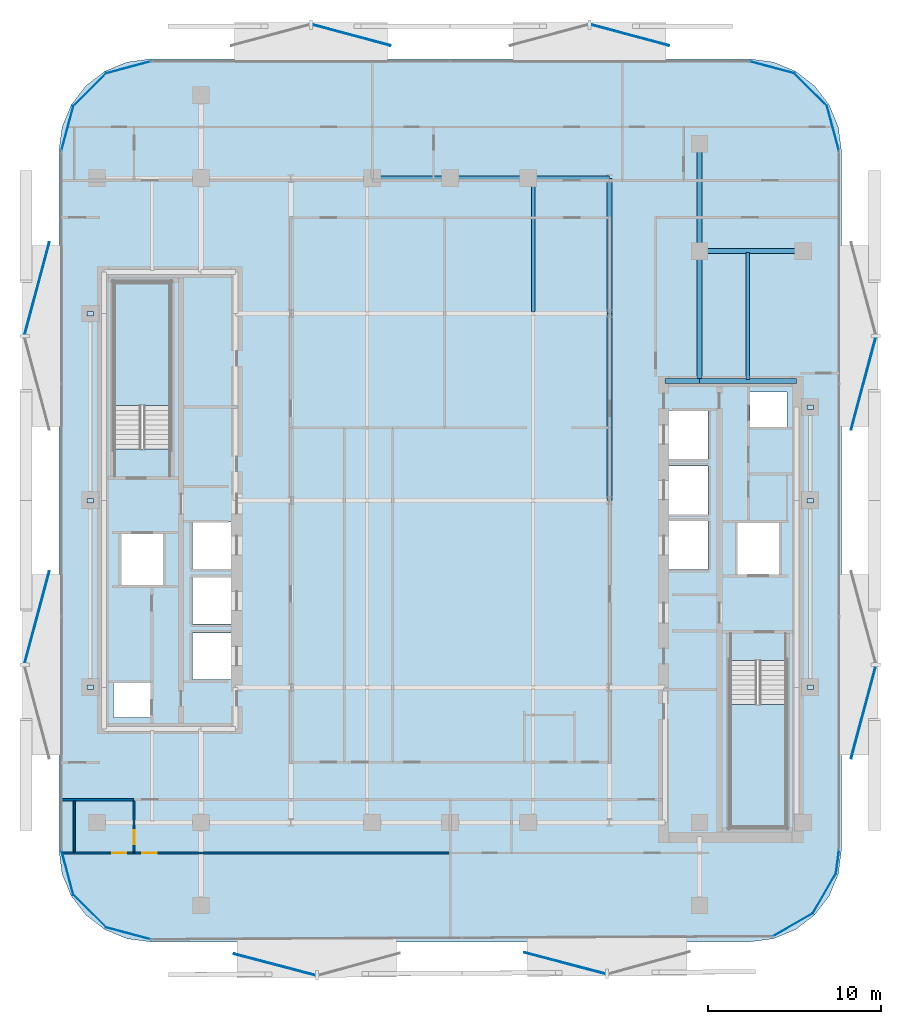
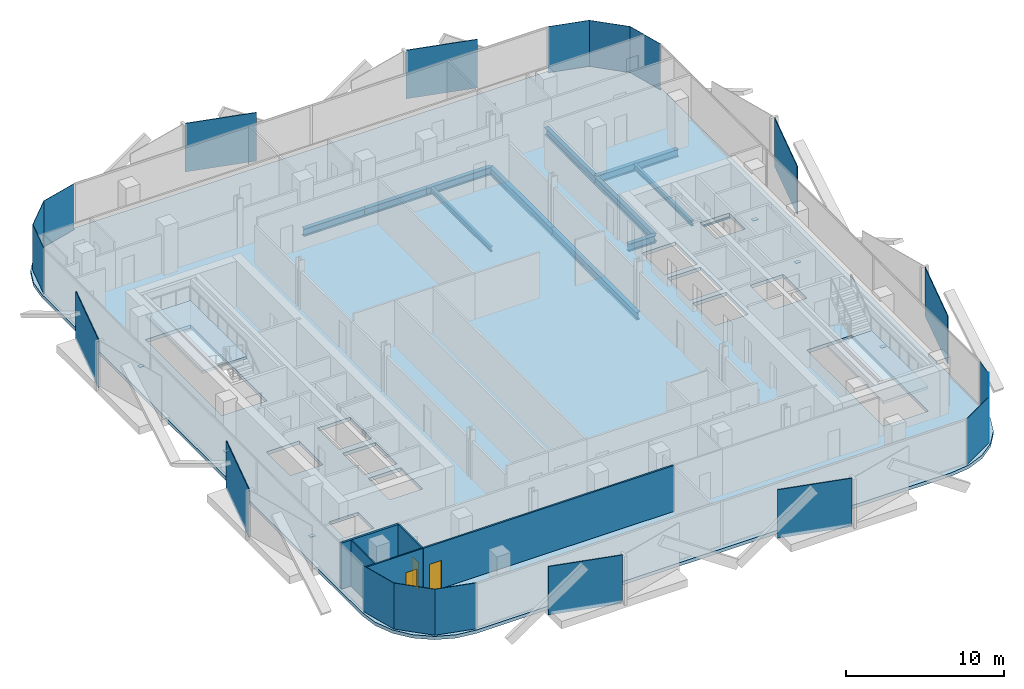
# One storey, part 2 of 16: 26 plates, 12 beams, 5 walls, 3 doors, 3 slabs, 3 openings, 2 elements without a shape of their own.
"""IFC4 building model written with IfcOpenShell, lengths in metres."""

from ifc_helpers import new_model, si_unit, direction, frame, frame_2d, origin, origin_2d, place, context, subcontext, project, spatial, polyline, rectangle, i_section, outline, extrude, material, layer, layer_set, material_profile, profile_set, type_object, element, fill, aggregate, save


model = new_model("IFC4")

# Units and contexts
model_context = context("Model", 3, precision=1e-05, world=origin(), true_north=direction((0.0, 1.0)))
body_context = subcontext(model_context, "Body", "Model", "MODEL_VIEW")
ifc_project = project(units=[si_unit("LENGTHUNIT", "METRE"), si_unit("AREAUNIT", "SQUARE_METRE"), si_unit("VOLUMEUNIT", "CUBIC_METRE"), si_unit("PLANEANGLEUNIT", "RADIAN"), si_unit("MASSUNIT", "GRAM", prefix="KILO")], contexts=[model_context])

# Site, building, storey
site_placement = place(None, origin())
site = spatial("IfcSite", under=ifc_project, at=site_placement, CompositionType="ELEMENT")
building_placement = place(site_placement, origin())
building = spatial("IfcBuilding", under=site, at=building_placement, Name="Khairoan Windgate Tower", CompositionType="ELEMENT")
storey_placement = place(building_placement, frame((0.0, 0.0, 206.800048828125)))
storey = spatial("IfcBuildingStorey", under=building, at=storey_placement, Name="L48", CompositionType="ELEMENT", Elevation=206.800048828125)

# Beams
ifc_material_1 = material(Name="Steel S355", Category="steel")
ifc_material_profile_1 = material_profile(ifc_material_1, i_section(OverallWidth=0.300048828125, OverallDepth=0.587890625, WebThickness=0.011962890625, FlangeThickness=0.02001953125, FilletRadius=0.02392578125, at=origin_2d()))
ifc_profile_set_1 = profile_set([ifc_material_profile_1], Name="Steel S355")
beam_type_1 = type_object("IfcBeamType", Name="Beam B-G4 H588x300x12x20", PredefinedType="BEAM", material=ifc_profile_set_1)
beam_1_placement = place(storey_placement, frame((12.39990234375, 6.89990234375, -0.553955078125), z_axis=(1.0, 0.0, 0.0), x_axis=(0.0, 1.0, 0.0)))
element("IfcBeam", 1, at=beam_1_placement, inside=storey, type_object=beam_type_1, Name="L48 E-W Primary Girder 15", PredefinedType="BEAM", context=body_context, shape_type="SweptSolid", body=[
    extrude(i_section(OverallWidth=0.300048828125, OverallDepth=0.587890625, WebThickness=0.011962890625, FlangeThickness=0.02001953125, FilletRadius=0.02392578125, at=origin_2d()), origin(), (0.0, 0.0, 1.0), 2.0),
])
beam_2_placement = place(storey_placement, frame((14.39990234375, 6.89990234375, -0.553955078125), z_axis=(1.0, 0.0, 0.0), x_axis=(0.0, 1.0, 0.0)))
element("IfcBeam", 2, at=beam_2_placement, inside=storey, type_object=beam_type_1, Name="L48 E-W Primary Girder 16", PredefinedType="BEAM", context=body_context, shape_type="SweptSolid", body=[
    extrude(i_section(OverallWidth=0.300048828125, OverallDepth=0.587890625, WebThickness=0.011962890625, FlangeThickness=0.02001953125, FilletRadius=0.02392578125, at=origin_2d()), origin(), (0.0, 0.0, 1.0), 5.60009765625),
])
beam_3_placement = place(storey_placement, frame((14.39990234375, 14.39990234375, -0.553955078125), z_axis=(1.0, 0.0, 0.0), x_axis=(0.0, 1.0, 0.0)))
element("IfcBeam", 3, at=beam_3_placement, inside=storey, type_object=beam_type_1, Name="L48 E-W Primary Girder 21", PredefinedType="BEAM", context=body_context, shape_type="SweptSolid", body=[
    extrude(i_section(OverallWidth=0.300048828125, OverallDepth=0.587890625, WebThickness=0.011962890625, FlangeThickness=0.02001953125, FilletRadius=0.02392578125, at=origin_2d()), origin(), (0.0, 0.0, 1.0), 6.0),
])
for number, where, z_axis, x_axis, name in (
    (4, (-4.5, 18.60009765625, -0.553955078125), (1.0, 0.0, 0.0), (0.0, 1.0, 0.0), "L48 E-W Primary Girder 25"),
    (5, (0.0, 18.60009765625, -0.553955078125), (1.0, 0.0, 0.0), (0.0, 1.0, 0.0), "L48 E-W Primary Girder 26"),
):
    element("IfcBeam", number, at=place(storey_placement, frame(where, z_axis=z_axis, x_axis=x_axis)), inside=storey, type_object=beam_type_1, Name=name, PredefinedType="BEAM", context=body_context, shape_type="SweptSolid", body=[
        extrude(i_section(OverallWidth=0.300048828125, OverallDepth=0.587890625, WebThickness=0.011962890625, FlangeThickness=0.02001953125, FilletRadius=0.02392578125, at=origin_2d()), origin(), (0.0, 0.0, 1.0), 4.5),
    ])
beam_4_placement = place(storey_placement, frame((4.5, 18.60009765625, -0.553955078125), z_axis=(1.0, 0.0, 0.0), x_axis=(0.0, 1.0, 0.0)))
element("IfcBeam", 6, at=beam_4_placement, inside=storey, type_object=beam_type_1, Name="L48 E-W Primary Girder 27", PredefinedType="BEAM", context=body_context, shape_type="SweptSolid", body=[
    extrude(i_section(OverallWidth=0.300048828125, OverallDepth=0.587890625, WebThickness=0.011962890625, FlangeThickness=0.02001953125, FilletRadius=0.02392578125, at=origin_2d()), origin(), (0.0, 0.0, 1.0), 4.699951171875),
])
beam_5_placement = place(storey_placement, frame((9.199951171875, 0.0, -0.553955078125), z_axis=(0.0, 1.0, 0.0), x_axis=(-1.0, 0.0, 0.0)))
element("IfcBeam", 7, at=beam_5_placement, inside=storey, type_object=beam_type_1, Name="L48 N-S Primary Beam 47", PredefinedType="BEAM", context=body_context, shape_type="SweptSolid", body=[
    extrude(i_section(OverallWidth=0.300048828125, OverallDepth=0.587890625, WebThickness=0.011962890625, FlangeThickness=0.02001953125, FilletRadius=0.02392578125, at=origin_2d()), origin(), (0.0, 0.0, 1.0), 10.800048828125),
])
beam_6_placement = place(storey_placement, frame((9.199951171875, 10.800048828125, -0.553955078125), z_axis=(0.0, 1.0, 0.0), x_axis=(-1.0, 0.0, 0.0)))
element("IfcBeam", 8, at=beam_6_placement, inside=storey, type_object=beam_type_1, Name="L48 N-S Primary Beam 48", PredefinedType="BEAM", context=body_context, shape_type="SweptSolid", body=[
    extrude(i_section(OverallWidth=0.300048828125, OverallDepth=0.587890625, WebThickness=0.011962890625, FlangeThickness=0.02001953125, FilletRadius=0.02392578125, at=origin_2d()), origin(), (0.0, 0.0, 1.0), 7.800048828125),
])
beam_7_placement = place(storey_placement, frame((14.39990234375, 6.89990234375, -0.553955078125), z_axis=(0.0, 1.0, 0.0), x_axis=(-1.0, 0.0, 0.0)))
element("IfcBeam", 9, at=beam_7_placement, inside=storey, type_object=beam_type_1, Name="L48 N-S Primary Beam 51", PredefinedType="BEAM", context=body_context, shape_type="SweptSolid", body=[
    extrude(i_section(OverallWidth=0.300048828125, OverallDepth=0.587890625, WebThickness=0.011962890625, FlangeThickness=0.02001953125, FilletRadius=0.02392578125, at=origin_2d()), origin(), (0.0, 0.0, 1.0), 7.5),
])
beam_8_placement = place(storey_placement, frame((14.39990234375, 14.39990234375, -0.553955078125), z_axis=(0.0, 1.0, 0.0), x_axis=(-1.0, 0.0, 0.0)))
element("IfcBeam", 10, at=beam_8_placement, inside=storey, type_object=beam_type_1, Name="L48 N-S Primary Beam 52", PredefinedType="BEAM", context=body_context, shape_type="SweptSolid", body=[
    extrude(i_section(OverallWidth=0.300048828125, OverallDepth=0.587890625, WebThickness=0.011962890625, FlangeThickness=0.02001953125, FilletRadius=0.02392578125, at=origin_2d()), origin(), (0.0, 0.0, 1.0), 6.2001953125),
])
ifc_material_2 = material(Name="Steel S355", Category="steel")
ifc_material_profile_2 = material_profile(ifc_material_2, i_section(OverallWidth=0.199951171875, OverallDepth=0.39990234375, WebThickness=0.008056640625, FlangeThickness=0.012939453125, FilletRadius=0.01611328125, at=origin_2d()))
ifc_profile_set_2 = profile_set([ifc_material_profile_2], Name="Steel S355")
beam_type_2 = type_object("IfcBeamType", Name="Beam J-S4 H400x200x8x13", PredefinedType="JOIST", material=ifc_profile_set_2)
beam_9_placement = place(storey_placement, frame((4.800048828125, 10.889892578125, -0.4599609375), z_axis=(0.0, 1.0, 0.0), x_axis=(-1.0, 0.0, 0.0)))
element("IfcBeam", 11, at=beam_9_placement, inside=storey, type_object=beam_type_2, Name="L48 Secondary Floor Joist 10", PredefinedType="JOIST", context=body_context, shape_type="SweptSolid", body=[
    extrude(i_section(OverallWidth=0.199951171875, OverallDepth=0.39990234375, WebThickness=0.008056640625, FlangeThickness=0.012939453125, FilletRadius=0.01611328125, at=origin_2d()), origin(), (0.0, 0.0, 1.0), 7.6201171875),
])
beam_10_placement = place(storey_placement, frame((17.199951171875, 6.989990234375, -0.4599609375), z_axis=(0.0, 1.0, 0.0), x_axis=(-1.0, 0.0, 0.0)))
element("IfcBeam", 12, at=beam_10_placement, inside=storey, type_object=beam_type_2, Name="L48 Secondary Floor Joist 11", PredefinedType="JOIST", context=body_context, shape_type="SweptSolid", body=[
    extrude(i_section(OverallWidth=0.199951171875, OverallDepth=0.39990234375, WebThickness=0.008056640625, FlangeThickness=0.012939453125, FilletRadius=0.01611328125, at=origin_2d()), origin(), (0.0, 0.0, 1.0), 7.320068359375),
])

# Plates
ifc_material_3 = material(Name="Low-E Solar Control Laminated Glass", Category="glass")
ifc_layer_1 = layer(ifc_material_3, 0.030029296875, Name="Low-E Solar Control Laminated Glass")
ifc_layer_set_1 = layer_set([ifc_layer_1], Name="Low-E Solar Control Laminated Glass")
plate_type_1 = type_object("IfcPlateType", Name="Aerodynamic Wind-Corner Curved Glazing Plate", PredefinedType="USERDEFINED", material=ifc_layer_set_1)
plate_1_placement = place(storey_placement, frame((-18.585205078125, -25.013916015625, 0.0), z_axis=(0.0, 0.0, 1.0), x_axis=(-0.966061211211, 0.258313252067, 0.0)))
element("IfcPlate", 13, at=plate_1_placement, inside=storey, type_object=plate_type_1, Name="L48 Aerodynamic Wind-Corner Curved Glazing Panel 2", ObjectType="GLAZING PANEL", PredefinedType="USERDEFINED", context=body_context, shape_type="SweptSolid", body=[
    extrude(rectangle(XDim=2.719482421875, YDim=0.030029296875, at=origin_2d()), origin(), (0.0, 0.0, 1.0), 3.5400390625),
])
plate_2_placement = place(storey_placement, frame((-20.823486328125, -23.723388671875, 0.0), z_axis=(0.0, 0.0, 1.0), x_axis=(-0.707106781187, 0.707106781187, 0.0)))
element("IfcPlate", 14, at=plate_2_placement, inside=storey, type_object=plate_type_1, Name="L48 Aerodynamic Wind-Corner Curved Glazing Panel 3", ObjectType="GLAZING PANEL", PredefinedType="USERDEFINED", context=body_context, shape_type="SweptSolid", body=[
    extrude(rectangle(XDim=2.710205078125, YDim=0.030029296875, at=origin_2d()), origin(), (0.0, 0.0, 1.0), 3.5400390625),
])
for number, where, z_axis, x_axis, name in (
    (15, (-22.11376953125, -21.485107421875, 0.0), (0.0, 0.0, 1.0), (-0.258313252067, 0.966061211211, 0.0), "L48 Aerodynamic Wind-Corner Curved Glazing Panel 4"),
    (16, (-22.11376953125, 21.485107421875, 0.0), (0.0, 0.0, 1.0), (0.258313252067, 0.966061211211, 0.0), "L48 Aerodynamic Wind-Corner Curved Glazing Panel 6"),
):
    element("IfcPlate", number, at=place(storey_placement, frame(where, z_axis=z_axis, x_axis=x_axis)), inside=storey, type_object=plate_type_1, Name=name, ObjectType="GLAZING PANEL", PredefinedType="USERDEFINED", context=body_context, shape_type="SweptSolid", body=[
        extrude(rectangle(XDim=2.719482421875, YDim=0.030029296875, at=origin_2d()), origin(), (0.0, 0.0, 1.0), 3.5400390625),
    ])
plate_3_placement = place(storey_placement, frame((-20.823486328125, 23.723388671875, 0.0), z_axis=(0.0, 0.0, 1.0), x_axis=(0.707106781187, 0.707106781187, 0.0)))
element("IfcPlate", 17, at=plate_3_placement, inside=storey, type_object=plate_type_1, Name="L48 Aerodynamic Wind-Corner Curved Glazing Panel 7", ObjectType="GLAZING PANEL", PredefinedType="USERDEFINED", context=body_context, shape_type="SweptSolid", body=[
    extrude(rectangle(XDim=2.710205078125, YDim=0.030029296875, at=origin_2d()), origin(), (0.0, 0.0, 1.0), 3.5400390625),
])
for number, where, z_axis, x_axis, name in (
    (18, (-18.585205078125, 25.013916015625, 0.0), (0.0, 0.0, 1.0), (0.966061211211, 0.258313252067, 0.0), "L48 Aerodynamic Wind-Corner Curved Glazing Panel 8"),
    (19, (18.585205078125, 25.013916015625, 0.0), (0.0, 0.0, 1.0), (0.966061211211, -0.258313252067, 0.0), "L48 Aerodynamic Wind-Corner Curved Glazing Panel 10"),
):
    element("IfcPlate", number, at=place(storey_placement, frame(where, z_axis=z_axis, x_axis=x_axis)), inside=storey, type_object=plate_type_1, Name=name, ObjectType="GLAZING PANEL", PredefinedType="USERDEFINED", context=body_context, shape_type="SweptSolid", body=[
        extrude(rectangle(XDim=2.719482421875, YDim=0.030029296875, at=origin_2d()), origin(), (0.0, 0.0, 1.0), 3.5400390625),
    ])
plate_4_placement = place(storey_placement, frame((20.823486328125, 23.723388671875, 0.0), z_axis=(0.0, 0.0, 1.0), x_axis=(0.707106781187, -0.707106781187, 0.0)))
element("IfcPlate", 20, at=plate_4_placement, inside=storey, type_object=plate_type_1, Name="L48 Aerodynamic Wind-Corner Curved Glazing Panel 11", ObjectType="GLAZING PANEL", PredefinedType="USERDEFINED", context=body_context, shape_type="SweptSolid", body=[
    extrude(rectangle(XDim=2.710205078125, YDim=0.030029296875, at=origin_2d()), origin(), (0.0, 0.0, 1.0), 3.5400390625),
])
plate_5_placement = place(storey_placement, frame((22.11376953125, 21.485107421875, 0.0), z_axis=(0.0, 0.0, 1.0), x_axis=(0.258313252067, -0.966061211211, 0.0)))
element("IfcPlate", 21, at=plate_5_placement, inside=storey, type_object=plate_type_1, Name="L48 Aerodynamic Wind-Corner Curved Glazing Panel 12", ObjectType="GLAZING PANEL", PredefinedType="USERDEFINED", context=body_context, shape_type="SweptSolid", body=[
    extrude(rectangle(XDim=2.719482421875, YDim=0.030029296875, at=origin_2d()), origin(), (0.0, 0.0, 1.0), 3.5400390625),
])
plate_6_placement = place(storey_placement, frame((22.37158203125, -20.863037109375, 0.0), z_axis=(0.0, 0.0, 1.0), x_axis=(-0.13052619222, -0.991444861374, 0.0)))
element("IfcPlate", 22, at=plate_6_placement, inside=storey, type_object=plate_type_1, Name="L48 Aerodynamic Wind-Corner Curved Glazing Panel 14", ObjectType="GLAZING PANEL", PredefinedType="USERDEFINED", context=body_context, shape_type="SweptSolid", body=[
    extrude(rectangle(XDim=1.39599609375, YDim=0.030029296875, at=origin_2d()), origin(), (0.0, 0.0, 1.0), 3.5400390625),
])
for number, where, z_axis, x_axis, name in (
    (23, (21.615478515625, -22.69140625, 0.0), (0.0, 0.0, 1.0), (-0.5, -0.866025403784, 0.0), "L48 Aerodynamic Wind-Corner Curved Glazing Panel 15"),
    (24, (19.79150390625, -24.515380859375, 0.0), (0.0, 0.0, 1.0), (-0.866025403784, -0.5, 0.0), "L48 Aerodynamic Wind-Corner Curved Glazing Panel 16"),
):
    element("IfcPlate", number, at=place(storey_placement, frame(where, z_axis=z_axis, x_axis=x_axis)), inside=storey, type_object=plate_type_1, Name=name, ObjectType="GLAZING PANEL", PredefinedType="USERDEFINED", context=body_context, shape_type="SweptSolid", body=[
        extrude(rectangle(XDim=2.71044921875, YDim=0.030029296875, at=origin_2d()), origin(), (0.0, 0.0, 1.0), 3.5400390625),
    ])
ifc_material_4 = material(Name="Steel S355", Category="steel")
ifc_layer_2 = layer(ifc_material_4, 0.0400390625, Name="Steel S355")
ifc_layer_set_2 = layer_set([ifc_layer_2], Name="Steel S355")
plate_type_2 = type_object("IfcPlateType", Name="Hollow Section End-Cap Plate PL-CAP40", PredefinedType="SHEET", material=ifc_layer_set_2)
for number, where, z_axis, x_axis, name in (
    (25, (-20.800048828125, -10.784912109375, -0.455078125), (0.0, 0.0, 1.0), (0.0, 1.0, 0.0), "BM-SP-L48-028 steel end-cap plate 1"),
    (26, (-20.800048828125, -0.014892578125, -0.455078125), (0.0, 0.0, 1.0), (0.0, 1.0, 0.0), "BM-SP-L48-028 steel end-cap plate 2"),
    (27, (-20.800048828125, 10.784912109375, -0.455078125), (0.0, 0.0, 1.0), (0.0, 1.0, 0.0), "BM-SP-L48-029 steel end-cap plate 2"),
    (28, (20.800048828125, -10.784912109375, -0.455078125), (0.0, 0.0, 1.0), (0.0, 1.0, 0.0), "BM-SP-L48-056 steel end-cap plate 1"),
    (29, (20.800048828125, -0.014892578125, -0.455078125), (0.0, 0.0, 1.0), (0.0, 1.0, 0.0), "BM-SP-L48-056 steel end-cap plate 2"),
    (30, (20.800048828125, 5.385009765625, -0.455078125), (0.0, 0.0, 1.0), (0.0, 1.0, 0.0), "BM-SP-L48-057 steel end-cap plate 2"),
):
    element("IfcPlate", number, at=place(storey_placement, frame(where, z_axis=z_axis, x_axis=x_axis)), inside=storey, type_object=plate_type_2, Name=name, PredefinedType="SHEET", context=body_context, shape_type="SweptSolid", body=[
        extrude(rectangle(XDim=0.27001953125, YDim=0.3701171875, at=origin_2d()), origin(), (0.0, 0.0, 1.0), 0.0400390625),
    ])
ifc_material_5 = material(Name="Anodised Bronze Aluminium 6063-T6", Category="aluminium")
ifc_layer_3 = layer(ifc_material_5, 0.054931640625, Name="Anodised Bronze Aluminium 6063-T6")
ifc_layer_set_3 = layer_set([ifc_layer_3], Name="Anodised Bronze Aluminium 6063-T6")
plate_type_3 = type_object("IfcPlateType", Name="Perforated Bronze Solar Screen Panel BSP-1", PredefinedType="USERDEFINED", material=ifc_layer_set_3)
for number, where, z_axis, x_axis, name in (
    (31, (6.623291015625, -26.733154296875, -0.10009765625), (0.0, 0.0, 1.0), (-0.967179115616, 0.254095569259, 0.0), "L48 Perforated Bronze Solar Screen Panel 321R"),
    (32, (-10.1396484375, -26.815673828125, -0.10009765625), (0.0, 0.0, 1.0), (-0.967179115616, 0.254095569259, 0.0), "L48 Perforated Bronze Solar Screen Panel 322R"),
):
    element("IfcPlate", number, at=place(storey_placement, frame(where, z_axis=z_axis, x_axis=x_axis)), inside=storey, type_object=plate_type_3, Name=name, ObjectType="SCREEN", PredefinedType="USERDEFINED", context=body_context, shape_type="SweptSolid", body=[
        extrude(rectangle(XDim=4.861083984375, YDim=0.054931640625, at=origin_2d()), origin(), (0.0, 0.0, 1.0), 3.739990234375),
    ])
for number, where, z_axis, x_axis, name in (
    (33, (-23.8671875, -6.74560546875, -0.10009765625), (0.0, 0.0, 1.0), (0.258819045103, 0.965925826289, 0.0), "L48 Perforated Bronze Solar Screen Panel 323R"),
    (34, (-23.8671875, 12.2451171875, -0.10009765625), (0.0, 0.0, 1.0), (0.258819045103, 0.965925826289, 0.0), "L48 Perforated Bronze Solar Screen Panel 324R"),
):
    element("IfcPlate", number, at=place(storey_placement, frame(where, z_axis=z_axis, x_axis=x_axis)), inside=storey, type_object=plate_type_3, Name=name, ObjectType="SCREEN", PredefinedType="USERDEFINED", context=body_context, shape_type="SweptSolid", body=[
        extrude(rectangle(XDim=5.507080078125, YDim=0.054931640625, at=origin_2d()), origin(), (0.0, 0.0, 1.0), 3.739990234375),
    ])
for number, where, z_axis, x_axis, name in (
    (35, (-5.701904296875, 26.876220703125, -0.10009765625), (0.0, 0.0, 1.0), (0.965925826289, -0.258819045103, 0.0), "L48 Perforated Bronze Solar Screen Panel 325R"),
    (36, (10.388916015625, 26.876220703125, -0.10009765625), (0.0, 0.0, 1.0), (0.965925826289, -0.258819045103, 0.0), "L48 Perforated Bronze Solar Screen Panel 326R"),
):
    element("IfcPlate", number, at=place(storey_placement, frame(where, z_axis=z_axis, x_axis=x_axis)), inside=storey, type_object=plate_type_3, Name=name, ObjectType="SCREEN", PredefinedType="USERDEFINED", context=body_context, shape_type="SweptSolid", body=[
        extrude(rectangle(XDim=4.666015625, YDim=0.054931640625, at=origin_2d()), origin(), (0.0, 0.0, 1.0), 3.739990234375),
    ])
for number, where, z_axis, x_axis, name in (
    (37, (23.8671875, 6.74560546875, -0.10009765625), (0.0, 0.0, 1.0), (-0.258819045103, -0.965925826289, 0.0), "L48 Perforated Bronze Solar Screen Panel 327R"),
    (38, (23.8671875, -12.2451171875, -0.10009765625), (0.0, 0.0, 1.0), (-0.258819045103, -0.965925826289, 0.0), "L48 Perforated Bronze Solar Screen Panel 328R"),
):
    element("IfcPlate", number, at=place(storey_placement, frame(where, z_axis=z_axis, x_axis=x_axis)), inside=storey, type_object=plate_type_3, Name=name, ObjectType="SCREEN", PredefinedType="USERDEFINED", context=body_context, shape_type="SweptSolid", body=[
        extrude(rectangle(XDim=5.507080078125, YDim=0.054931640625, at=origin_2d()), origin(), (0.0, 0.0, 1.0), 3.739990234375),
    ])

# Stair, slab
ifc_material_6 = material(Name="Concrete C40/50", Category="concrete")
stair_type = type_object("IfcStairType", Name="Tower Core Dog-Leg Stair ST-T1 1560mm", PredefinedType="HALF_TURN_STAIR", material=ifc_material_6)
stair_1_placement = place(storey_placement, origin())
stair_1 = element("IfcStair", 39, at=stair_1_placement, inside=storey, type_object=stair_type, Name="L48 Stair ST1", PredefinedType="HALF_TURN_STAIR")
ifc_material_7 = material(Name="Concrete C40/50", Category="concrete")
ifc_layer_4 = layer(ifc_material_7, 0.199951171875, Name="Concrete C40/50")
ifc_layer_set_4 = layer_set([ifc_layer_4], Name="Concrete C40/50")
slab_type_1 = type_object("IfcSlabType", Name="Reinforced Concrete Stair Landing Slab STL-200", PredefinedType="LANDING", material=ifc_layer_set_4)
slab_1_placement = place(storey_placement, frame((0.0, 0.0, 1.699951171875)))
slab_1 = element("IfcSlab", 40, at=slab_1_placement, type_object=slab_type_1, Name="ST1 landing 1", PredefinedType="LANDING", context=body_context, shape_type="SweptSolid", body=[
    extrude(outline(polyline([(16.14990234375, -11.780029296875), (16.14990234375, -18.89990234375), (19.419921875, -18.89990234375), (19.419921875, -11.780029296875), (16.14990234375, -11.780029296875)])), origin(), (0.0, 0.0, 1.0), 0.199951171875),
])
aggregate(stair_1, [slab_1])

stair_2_placement = place(storey_placement, origin())
stair_2 = element("IfcStair", 41, at=stair_2_placement, inside=storey, type_object=stair_type, Name="L48 Stair ST2", PredefinedType="HALF_TURN_STAIR")
slab_2_placement = place(storey_placement, frame((0.0, 0.0, 1.699951171875)))
slab_2 = element("IfcSlab", 42, at=slab_2_placement, type_object=slab_type_1, Name="ST2 landing 1", PredefinedType="LANDING", context=body_context, shape_type="SweptSolid", body=[
    extrude(outline(polyline([(-16.14990234375, 5.47998046875), (-16.14990234375, 12.60009765625), (-19.419921875, 12.60009765625), (-19.419921875, 5.47998046875), (-16.14990234375, 5.47998046875)])), origin(), (0.0, 0.0, 1.0), 0.199951171875),
])
aggregate(stair_2, [slab_2])

# Slab
ifc_material_8 = material(Name="Concrete C40/50", Category="concrete")
ifc_layer_5 = layer(ifc_material_8, 0.260009765625, Name="Concrete C40/50")
ifc_layer_set_5 = layer_set([ifc_layer_5], Name="Concrete C40/50")
slab_type_2 = type_object("IfcSlabType", Name="Tower Composite Floor Slab FS2 260mm", PredefinedType="FLOOR", material=ifc_layer_set_5)
slab_3_placement = place(storey_placement, frame((0.0, 0.0, -0.260009765625)))
element("IfcSlab", 43, at=slab_3_placement, inside=storey, type_object=slab_type_2, Name="L48 Structural Floor Slab", PredefinedType="FLOOR", context=body_context, shape_type="SweptSolid", body=[
    extrude(outline(polyline([(17.300048828125, -25.5), (18.671630859375, -25.3193359375), (19.949951171875, -24.789794921875), (21.047607421875, -23.94775390625), (21.889892578125, -22.85009765625), (22.41943359375, -21.57177734375), (22.60009765625, -20.199951171875), (22.60009765625, 20.199951171875), (22.41943359375, 21.57177734375), (21.889892578125, 22.85009765625), (21.047607421875, 23.94775390625), (19.949951171875, 24.789794921875), (18.671630859375, 25.3193359375), (17.300048828125, 25.5), (-17.300048828125, 25.5), (-18.671630859375, 25.3193359375), (-19.949951171875, 24.789794921875), (-21.047607421875, 23.94775390625), (-21.889892578125, 22.85009765625), (-22.41943359375, 21.57177734375), (-22.60009765625, 20.199951171875), (-22.60009765625, -20.199951171875), (-22.41943359375, -21.57177734375), (-21.889892578125, -22.85009765625), (-21.047607421875, -23.94775390625), (-19.949951171875, -24.789794921875), (-18.671630859375, -25.3193359375), (-17.300048828125, -25.5), (17.300048828125, -25.5)]), holes=[polyline([(16.14990234375, -9.260009765625), (16.14990234375, -18.89990234375), (19.419921875, -18.89990234375), (19.419921875, -9.260009765625), (16.14990234375, -9.260009765625)]), polyline([(-16.14990234375, 2.9599609375), (-16.14990234375, 12.60009765625), (-19.419921875, 12.60009765625), (-19.419921875, 2.9599609375), (-16.14990234375, 2.9599609375)]), polyline([(-14.89990234375, -3.949951171875), (-12.5, -3.949951171875), (-12.5, -1.25), (-14.89990234375, -1.25), (-14.89990234375, -3.949951171875)]), polyline([(-14.89990234375, -7.14990234375), (-12.5, -7.14990234375), (-12.5, -4.449951171875), (-14.89990234375, -4.449951171875), (-14.89990234375, -7.14990234375)]), polyline([(-14.89990234375, -10.35009765625), (-12.5, -10.35009765625), (-12.5, -7.64990234375), (-14.89990234375, -7.64990234375), (-14.89990234375, -10.35009765625)]), polyline([(12.5, 2.39990234375), (14.89990234375, 2.39990234375), (14.89990234375, 5.199951171875), (12.5, 5.199951171875), (12.5, 2.39990234375)]), polyline([(12.5, -0.800048828125), (14.89990234375, -0.800048828125), (14.89990234375, 2.0), (12.5, 2.0), (12.5, -0.800048828125)]), polyline([(12.5, -4.0), (14.89990234375, -4.0), (14.89990234375, -1.199951171875), (12.5, -1.199951171875), (12.5, -4.0)]), polyline([(16.60009765625, -4.300048828125), (19.0, -4.300048828125), (19.0, -1.300048828125), (16.60009765625, -1.300048828125), (16.60009765625, -4.300048828125)]), polyline([(-19.0, -4.89990234375), (-16.60009765625, -4.89990234375), (-16.60009765625, -1.89990234375), (-19.0, -1.89990234375), (-19.0, -4.89990234375)]), polyline([(-19.449951171875, -12.550048828125), (-17.31005859375, -12.550048828125), (-17.31005859375, -10.550048828125), (-19.449951171875, -10.550048828125), (-19.449951171875, -12.550048828125)]), polyline([(17.31005859375, 4.25), (19.449951171875, 4.25), (19.449951171875, 6.25), (17.31005859375, 6.25), (17.31005859375, 4.25)])]), origin(), (0.0, 0.0, 1.0), 0.260009765625),
])

# Wall, opening, door
ifc_material_9 = material(Name="Moisture-Resistant Gypsum Partition", Category="gypsum")
ifc_layer_6 = layer(ifc_material_9, 0.10009765625, Name="Moisture-Resistant Gypsum Partition")
ifc_layer_set_6 = layer_set([ifc_layer_6], Name="Moisture-Resistant Gypsum Partition")
wall_type_1 = type_object("IfcWallType", Name="Bathroom Wet-Area Partition Wall", PredefinedType="PARTITIONING", material=ifc_layer_set_6)
wall_1_placement = place(storey_placement, frame((-18.260009765625, -20.320068359375, 0.0), z_axis=(0.0, 0.0, 1.0), x_axis=(0.0, 1.0, 0.0)))
wall_1 = element("IfcWall", 44, at=wall_1_placement, inside=storey, type_object=wall_type_1, Name="L48 Interior Partition 059", PredefinedType="PARTITIONING", context=body_context, shape_type="SweptSolid", body=[
    extrude(rectangle(XDim=2.965087890625, YDim=0.10009765625, at=frame_2d((1.482421875, 0.0))), origin(), (0.0, 0.0, 1.0), 3.5400390625),
])
opening_1_placement = place(wall_1_placement, frame((0.4599609375, 0.0, 0.0)))
opening_1 = element("IfcOpeningElement", 45, at=opening_1_placement, cuts=wall_1, Name="Opening ID-BTH", PredefinedType="OPENING", context=body_context, shape_type="SweptSolid", body=[
    extrude(rectangle(XDim=0.800048828125, YDim=2.10009765625, at=frame_2d((0.39990234375, 1.050048828125))), frame((0.0, 0.06005859375, 0.0), z_axis=(0.0, -1.0, 0.0), x_axis=(1.0, 0.0, 0.0)), (0.0, 0.0, 1.0), 0.1201171875),
])
ifc_material_10 = material(Name="Teak Veneer Timber Leaf", Category="wood")
door_type_1 = type_object("IfcDoorType", Name="Internal Bathroom Door ID-BTH 800x2100", OperationType="NOTDEFINED", PredefinedType="DOOR", material=ifc_material_10)
door_1_placement = place(opening_1_placement, origin())
door_1 = element("IfcDoor", 46, at=door_1_placement, inside=storey, type_object=door_type_1, Name="L48 L48-48-L48-49 Door", OperationType="SINGLE_SWING_RIGHT", OverallHeight=2.10009765625, OverallWidth=0.800048828125, PredefinedType="DOOR", context=body_context, shape_type="SweptSolid", body=[
    extrude(rectangle(XDim=0.800048828125, YDim=2.10009765625, at=frame_2d((0.39990234375, 1.050048828125))), frame((0.0, 0.02490234375, 0.0), z_axis=(0.0, -1.0, 0.0), x_axis=(1.0, 0.0, 0.0)), (0.0, 0.0, 1.0), 0.050048828125),
])
fill(opening_1, door_1)

wall_2_placement = place(storey_placement, frame((-22.406982421875, -20.3701171875, 0.0), z_axis=(0.0, 0.0, 1.0), x_axis=(1.0, 0.0, 0.0)))
wall_2 = element("IfcWall", 47, at=wall_2_placement, inside=storey, type_object=wall_type_1, Name="L48 Interior Partition 060", PredefinedType="PARTITIONING", context=body_context, shape_type="SweptSolid", body=[
    extrude(rectangle(XDim=4.14697265625, YDim=0.10009765625, at=frame_2d((2.073486328125, 0.0))), origin(), (0.0, 0.0, 1.0), 3.5400390625),
])
opening_2_placement = place(wall_2_placement, frame((2.88720703125, 0.0, 0.0)))
opening_2 = element("IfcOpeningElement", 48, at=opening_2_placement, cuts=wall_2, Name="Opening ID-BTH", PredefinedType="OPENING", context=body_context, shape_type="SweptSolid", body=[
    extrude(rectangle(XDim=0.800048828125, YDim=2.10009765625, at=frame_2d((0.39990234375, 1.050048828125))), frame((0.0, 0.06005859375, 0.0), z_axis=(0.0, -1.0, 0.0), x_axis=(1.0, 0.0, 0.0)), (0.0, 0.0, 1.0), 0.1201171875),
])
door_2_placement = place(opening_2_placement, origin())
door_2 = element("IfcDoor", 49, at=door_2_placement, inside=storey, type_object=door_type_1, Name="L48 L48-48-L48-50 Door", OperationType="SINGLE_SWING_LEFT", OverallHeight=2.10009765625, OverallWidth=0.800048828125, PredefinedType="DOOR", context=body_context, shape_type="SweptSolid", body=[
    extrude(rectangle(XDim=0.800048828125, YDim=2.10009765625, at=frame_2d((0.39990234375, 1.050048828125))), frame((0.0, 0.02490234375, 0.0), z_axis=(0.0, -1.0, 0.0), x_axis=(1.0, 0.0, 0.0)), (0.0, 0.0, 1.0), 0.050048828125),
])
fill(opening_2, door_2)

# Wall
wall_3_placement = place(storey_placement, frame((-21.719970703125, -20.320068359375, 0.0), z_axis=(0.0, 0.0, 1.0), x_axis=(0.0, 1.0, 0.0)))
element("IfcWall", 50, at=wall_3_placement, inside=storey, type_object=wall_type_1, Name="L48 Wet Room Side Wall 071", PredefinedType="PARTITIONING", context=body_context, shape_type="SweptSolid", body=[
    extrude(rectangle(XDim=2.965087890625, YDim=0.10009765625, at=frame_2d((1.482421875, 0.0))), origin(), (0.0, 0.0, 1.0), 3.5400390625),
])

# Wall, opening, door
ifc_material_11 = material(Name="Gypsum Stud Partition", Category="gypsum")
ifc_layer_7 = layer(ifc_material_11, 0.1201171875, Name="Gypsum Stud Partition")
ifc_layer_set_7 = layer_set([ifc_layer_7], Name="Gypsum Stud Partition")
wall_type_2 = type_object("IfcWallType", Name="Internal Room Partition Wall", PredefinedType="PARTITIONING", material=ifc_layer_set_7)
wall_4_placement = place(storey_placement, frame((-18.260009765625, -20.3701171875, 0.0), z_axis=(0.0, 0.0, 1.0), x_axis=(1.0, 0.0, 0.0)))
wall_4 = element("IfcWall", 51, at=wall_4_placement, inside=storey, type_object=wall_type_2, Name="L48 Interior Partition 061", PredefinedType="PARTITIONING", context=body_context, shape_type="SweptSolid", body=[
    extrude(rectangle(XDim=18.260009765625, YDim=0.1201171875, at=frame_2d((9.1298828125, 0.0))), origin(), (0.0, 0.0, 1.0), 3.5400390625),
])
opening_3_placement = place(wall_4_placement, frame((0.4599609375, 0.0, 0.0)))
opening_3 = element("IfcOpeningElement", 52, at=opening_3_placement, cuts=wall_4, Name="Opening ID-RM", PredefinedType="OPENING", context=body_context, shape_type="SweptSolid", body=[
    extrude(rectangle(XDim=0.860107421875, YDim=2.14990234375, at=frame_2d((0.43017578125, 1.074951171875))), frame((0.0, 0.070068359375, 0.0), z_axis=(0.0, -1.0, 0.0), x_axis=(1.0, 0.0, 0.0)), (0.0, 0.0, 1.0), 0.14013671875),
])
ifc_material_12 = material(Name="Teak Veneer Timber Leaf", Category="wood")
door_type_2 = type_object("IfcDoorType", Name="Internal Bedroom and Office Door ID-RM 860x2150", OperationType="NOTDEFINED", PredefinedType="DOOR", material=ifc_material_12)
door_3_placement = place(opening_3_placement, origin())
door_3 = element("IfcDoor", 53, at=door_3_placement, inside=storey, type_object=door_type_2, Name="L48 L48-49-L48-50 Door", OperationType="SINGLE_SWING_RIGHT", OverallHeight=2.14990234375, OverallWidth=0.860107421875, PredefinedType="DOOR", context=body_context, shape_type="SweptSolid", body=[
    extrude(rectangle(XDim=0.860107421875, YDim=2.14990234375, at=frame_2d((0.43017578125, 1.074951171875))), frame((0.0, 0.02490234375, 0.0), z_axis=(0.0, -1.0, 0.0), x_axis=(1.0, 0.0, 0.0)), (0.0, 0.0, 1.0), 0.050048828125),
])
fill(opening_3, door_3)

# Wall
ifc_material_13 = material(Name="Acoustic Fire-Rated Gypsum Partition", Category="gypsum")
ifc_layer_8 = layer(ifc_material_13, 0.14990234375, Name="Acoustic Fire-Rated Gypsum Partition")
ifc_layer_set_8 = layer_set([ifc_layer_8], Name="Acoustic Fire-Rated Gypsum Partition")
wall_type_3 = type_object("IfcWallType", Name="Rated Corridor Partition Wall", PredefinedType="PARTITIONING", material=ifc_layer_set_8)
wall_5_placement = place(storey_placement, frame((-22.455078125, -17.280029296875, 0.0), z_axis=(0.0, 0.0, 1.0), x_axis=(1.0, 0.0, 0.0)))
element("IfcWall", 54, at=wall_5_placement, inside=storey, type_object=wall_type_3, Name="L48 Interior Partition 031", PredefinedType="PARTITIONING", context=body_context, shape_type="SweptSolid", body=[
    extrude(rectangle(XDim=4.195068359375, YDim=0.14990234375, at=frame_2d((2.09765625, 0.0))), origin(), (0.0, 0.0, 1.0), 3.5400390625),
])

save(model, "model.ifc")
